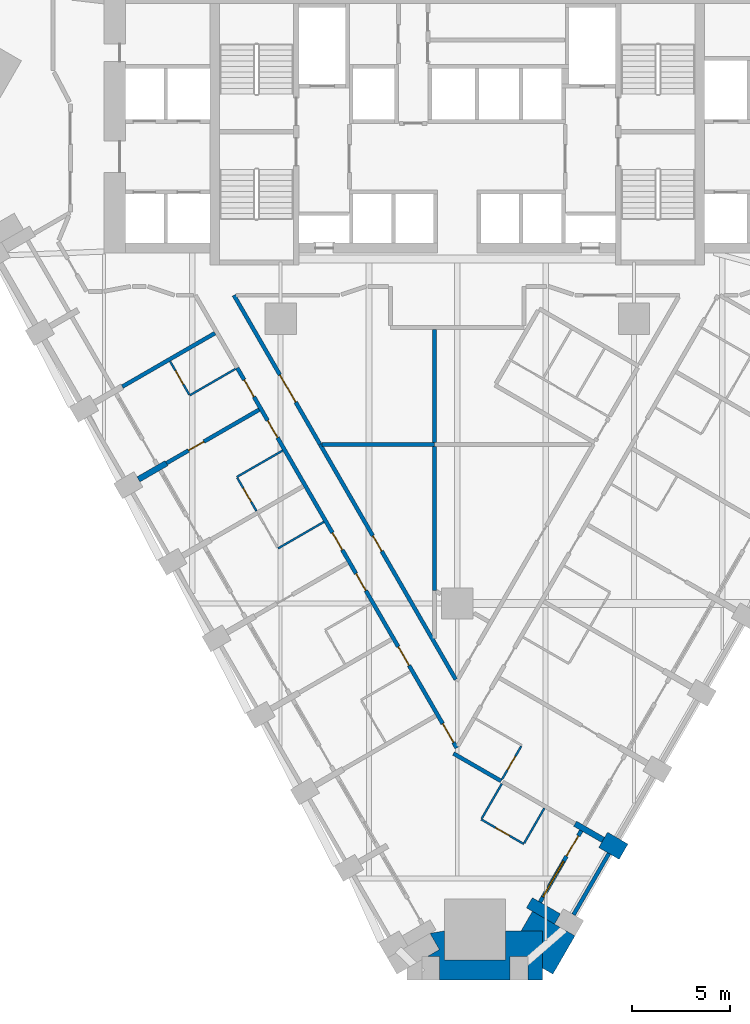
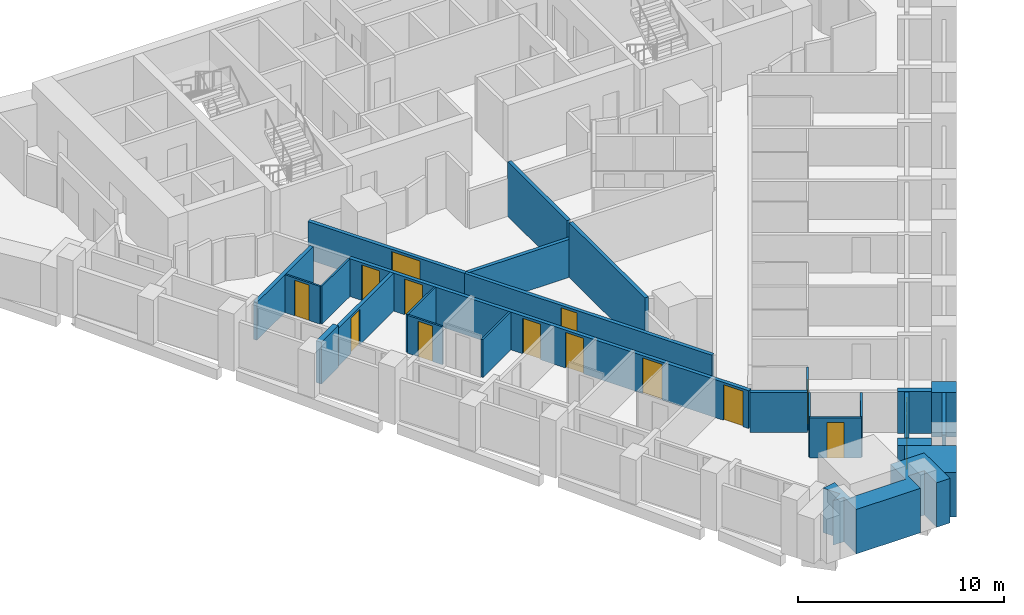
# One storey, part 4 of 12: 26 walls, 14 doors, 1 window, 15 openings.
"""IFC4 building model written with IfcOpenShell, lengths in metres."""

from ifc_helpers import new_model, si_unit, direction, frame, frame_2d, origin, place, context, subcontext, project, spatial, polyline, rectangle, outline, extrude, material, layer, layer_set, type_object, element, fill, save


model = new_model("IFC4")

# Units and contexts
model_context = context("Model", 3, precision=1e-05, world=origin(), true_north=direction((0.0, 1.0)))
body_context = subcontext(model_context, "Body", "Model", "MODEL_VIEW")
ifc_project = project(units=[si_unit("LENGTHUNIT", "METRE"), si_unit("AREAUNIT", "SQUARE_METRE"), si_unit("VOLUMEUNIT", "CUBIC_METRE"), si_unit("PLANEANGLEUNIT", "RADIAN"), si_unit("MASSUNIT", "GRAM", prefix="KILO")], contexts=[model_context])

# Site, building, storey
site_placement = place(None, origin())
site = spatial("IfcSite", under=ifc_project, at=site_placement, CompositionType="ELEMENT")
building_placement = place(site_placement, origin())
building = spatial("IfcBuilding", under=site, at=building_placement, Name="Calabash Gate Tower", CompositionType="ELEMENT")
storey_placement = place(building_placement, frame((0.0, 0.0, 83.39990234375)))
storey = spatial("IfcBuildingStorey", under=building, at=storey_placement, Name="L17", CompositionType="ELEMENT", Elevation=83.39990234375)

# Walls
ifc_material_1 = material(Name="Terracotta brick masonry, exposed face", Category="masonry")
ifc_layer_1 = layer(ifc_material_1, 2.5)
ifc_layer_set_1 = layer_set([ifc_layer_1], Name="Brick corner mass wall 2500")
wall_type_1 = type_object("IfcWallType", Name="Brick corner mass wall 2500", PredefinedType="SOLIDWALL", material=ifc_layer_set_1)
wall_1_placement = place(storey_placement, origin())
element("IfcWall", 1, at=wall_1_placement, inside=storey, type_object=wall_type_1, Name="Brick corner pier S04 2bb", PredefinedType="SOLIDWALL", context=body_context, shape_type="SweptSolid", body=[
    extrude(outline(polyline([(-0.653076171875, -30.14599609375), (-0.653076171875, -28.673828125), (-1.388671875, -28.799560546875), (-0.912841796875, -29.6240234375), (-1.51904296875, -29.97412109375), (-0.903076171875, -29.97412109375), (-0.903076171875, -31.173828125), (2.697021484375, -31.173828125), (2.697021484375, -29.97412109375), (3.596923828125, -29.97412109375), (3.596923828125, -31.173828125), (4.34814453125, -31.173828125), (4.34814453125, -28.673828125), (2.447021484375, -28.673828125), (2.447021484375, -30.14599609375), (-0.653076171875, -30.14599609375)])), origin(), (0.0, 0.0, 1.0), 2.630126953125),
])
wall_2_placement = place(storey_placement, origin())
element("IfcWall", 2, at=wall_2_placement, inside=storey, type_object=wall_type_1, Name="Brick corner pier S04 2c", PredefinedType="SOLIDWALL", context=body_context, shape_type="SweptSolid", body=[
    extrude(outline(polyline([(5.99169921875, -28.9267578125), (3.8271484375, -27.676513671875), (3.251220703125, -28.673828125), (4.34814453125, -28.673828125), (4.34814453125, -30.573974609375), (4.86767578125, -30.8740234375), (5.99169921875, -28.9267578125)])), origin(), (0.0, 0.0, 1.0), 2.630126953125),
])
ifc_material_2 = material(Name="Terracotta brick masonry, exposed face", Category="masonry")
ifc_layer_2 = layer(ifc_material_2, 1.199951171875)
ifc_layer_set_2 = layer_set([ifc_layer_2], Name="Brick end wall 1200")
wall_type_2 = type_object("IfcWallType", Name="Brick end wall 1200", PredefinedType="SOLIDWALL", material=ifc_layer_set_2)
wall_3_placement = place(storey_placement, frame((8.467041015625, -24.6396484375, 0.0), z_axis=(0.0, 0.0, 1.0), x_axis=(-0.865955154139, 0.50012165622, 0.0)))
element("IfcWall", 3, at=wall_3_placement, inside=storey, type_object=wall_type_2, Name="Brick pier S04 SE2.1", PredefinedType="SOLIDWALL", context=body_context, shape_type="SweptSolid", body=[
    extrude(rectangle(XDim=1.199951171875, YDim=0.89990234375, at=frame_2d((0.60009765625, 0.0))), origin(), (0.0, 0.0, 1.0), 2.630126953125),
])
ifc_material_3 = material(Name="Terracotta brick masonry, exposed face", Category="masonry")
ifc_layer_3 = layer(ifc_material_3, 0.300048828125)
ifc_layer_set_3 = layer_set([ifc_layer_3], Name="Brick loggia cheek wall 300")
wall_type_3 = type_object("IfcWallType", Name="Brick loggia cheek wall 300", PredefinedType="SOLIDWALL", material=ifc_layer_set_3)
wall_4_placement = place(storey_placement, frame((-16.239501953125, -5.67724609375, 0.0), z_axis=(0.0, 0.0, 1.0), x_axis=(0.866040211805, 0.499974350878, 0.0)))
element("IfcWall", 4, at=wall_4_placement, inside=storey, type_object=wall_type_3, Name="Loggia cheek S04 SW0.3", PredefinedType="SOLIDWALL", context=body_context, shape_type="SweptSolid", body=[
    extrude(rectangle(XDim=1.64990234375, YDim=0.300048828125, at=frame_2d((0.824951171875, 0.0))), origin(), (0.0, 0.0, 1.0), 2.4736328125),
])
wall_5_placement = place(storey_placement, frame((5.1025390625, -28.066650390625, 0.0), z_axis=(0.0, 0.0, 1.0), x_axis=(-0.866003217194, 0.500038426333, 0.0)))
element("IfcWall", 5, at=wall_5_placement, inside=storey, type_object=wall_type_3, Name="Loggia cheek S04 SE2.0", PredefinedType="SOLIDWALL", context=body_context, shape_type="SweptSolid", body=[
    extrude(rectangle(XDim=1.649658203125, YDim=0.60009765625, at=frame_2d((0.82470703125, 0.0))), origin(), (0.0, 0.0, 1.0), 2.650146484375),
])
wall_6_placement = place(storey_placement, frame((7.427978515625, -24.03955078125, 0.0), z_axis=(0.0, 0.0, 1.0), x_axis=(-0.866040211805, 0.499974350878, 0.0)))
element("IfcWall", 6, at=wall_6_placement, inside=storey, type_object=wall_type_3, Name="Loggia cheek S04 SE2.1", PredefinedType="SOLIDWALL", context=body_context, shape_type="SweptSolid", body=[
    extrude(rectangle(XDim=1.64990234375, YDim=0.300048828125, at=frame_2d((0.824951171875, 0.0))), origin(), (0.0, 0.0, 1.0), 2.4736328125),
])
ifc_material_4 = material(Name="Gypsum board on steel studs, mineral wool", Category="steel")
ifc_layer_4 = layer(ifc_material_4, 0.10009765625)
ifc_layer_set_4 = layer_set([ifc_layer_4], Name="Partition 100 gypsum board")
wall_type_4 = type_object("IfcWallType", Name="Partition 100 gypsum board", PredefinedType="PARTITIONING", material=ifc_layer_set_4)
wall_7_placement = place(storey_placement, frame((3.408203125, -24.2021484375, 0.0), z_axis=(0.0, 0.0, 1.0), x_axis=(0.499303169309, 0.866427345551, 0.0)))
element("IfcWall", 7, at=wall_7_placement, inside=storey, type_object=wall_type_4, Name="Partition", PredefinedType="PARTITIONING", context=body_context, shape_type="SweptSolid", body=[
    extrude(rectangle(XDim=2.05029296875, YDim=0.10009765625, at=frame_2d((1.025146484375, 0.0))), origin(), (0.0, 0.0, 1.0), 2.38427734375),
])

# Wall, opening, door
wall_8_placement = place(storey_placement, frame((1.218017578125, -22.995361328125, 0.0), z_axis=(0.0, 0.0, 1.0), x_axis=(0.866047370643, -0.499961950354, 0.0)))
wall_8 = element("IfcWall", 8, at=wall_8_placement, inside=storey, type_object=wall_type_4, Name="Partition", PredefinedType="PARTITIONING", context=body_context, shape_type="SweptSolid", body=[
    extrude(rectangle(XDim=2.500244140625, YDim=0.10009765625, at=frame_2d((1.25, 0.0))), origin(), (0.0, 0.0, 1.0), 2.38427734375),
])
opening_1_placement = place(wall_8_placement, frame((0.85009765625, 0.0, 0.0)))
opening_1 = element("IfcOpeningElement", 9, at=opening_1_placement, cuts=wall_8, Name="Opening 15-17-031", PredefinedType="OPENING", context=body_context, shape_type="SweptSolid", body=[
    extrude(rectangle(XDim=0.800048828125, YDim=2.10009765625, at=frame_2d((0.39990234375, 1.050048828125))), frame((0.0, 0.06005859375, 0.0), z_axis=(0.0, -1.0, 0.0), x_axis=(1.0, 0.0, 0.0)), (0.0, 0.0, 1.0), 0.1201171875),
])
ifc_material_5 = material(Name="Painted timber door", Category="wood")
door_type_1 = type_object("IfcDoorType", Name="GD5 En-suite door 800x2100", OperationType="NOTDEFINED", PredefinedType="DOOR", material=ifc_material_5)
door_1_placement = place(opening_1_placement, origin())
door_1 = element("IfcDoor", 10, at=door_1_placement, inside=storey, type_object=door_type_1, Name="En-suite door", OperationType="SINGLE_SWING_RIGHT", OverallHeight=2.10009765625, OverallWidth=0.800048828125, PredefinedType="DOOR", context=body_context, shape_type="SweptSolid", body=[
    extrude(rectangle(XDim=0.800048828125, YDim=2.10009765625, at=frame_2d((0.39990234375, 1.050048828125))), frame((0.0, 0.02490234375, 0.0), z_axis=(0.0, -1.0, 0.0), x_axis=(1.0, 0.0, 0.0)), (0.0, 0.0, 1.0), 0.050048828125),
])
fill(opening_1, door_1)

# Wall
wall_9_placement = place(storey_placement, frame((1.2431640625, -22.9521484375, 0.0), z_axis=(0.0, 0.0, 1.0), x_axis=(0.500646589026, 0.865651773461, 0.0)))
element("IfcWall", 11, at=wall_9_placement, inside=storey, type_object=wall_type_4, Name="Partition", PredefinedType="PARTITIONING", context=body_context, shape_type="SweptSolid", body=[
    extrude(rectangle(XDim=2.050048828125, YDim=0.10009765625, at=frame_2d((1.02490234375, 0.0))), origin(), (0.0, 0.0, 1.0), 2.38427734375),
])

# Wall, opening, door
wall_10_placement = place(storey_placement, frame((2.2802734375, -20.952392578125, 0.0), z_axis=(0.0, 0.0, 1.0), x_axis=(0.500675951608, 0.865634791053, 0.0)))
wall_10 = element("IfcWall", 12, at=wall_10_placement, inside=storey, type_object=wall_type_4, Name="Partition", PredefinedType="PARTITIONING", context=body_context, shape_type="SweptSolid", body=[
    extrude(rectangle(XDim=1.949951171875, YDim=0.10009765625, at=frame_2d((0.97509765625, 0.0))), origin(), (0.0, 0.0, 1.0), 2.38427734375),
])
opening_2_placement = place(wall_10_placement, frame((0.550048828125, 0.0, 0.0)))
opening_2 = element("IfcOpeningElement", 13, at=opening_2_placement, cuts=wall_10, Name="Opening 15-17-014", PredefinedType="OPENING", context=body_context, shape_type="SweptSolid", body=[
    extrude(rectangle(XDim=0.800048828125, YDim=2.10009765625, at=frame_2d((0.39990234375, 1.050048828125))), frame((0.0, 0.06005859375, 0.0), z_axis=(0.0, -1.0, 0.0), x_axis=(1.0, 0.0, 0.0)), (0.0, 0.0, 1.0), 0.1201171875),
])
door_2_placement = place(opening_2_placement, origin())
door_2 = element("IfcDoor", 14, at=door_2_placement, inside=storey, type_object=door_type_1, Name="En-suite door", OperationType="SINGLE_SWING_LEFT", OverallHeight=2.10009765625, OverallWidth=0.800048828125, PredefinedType="DOOR", context=body_context, shape_type="SweptSolid", body=[
    extrude(rectangle(XDim=0.800048828125, YDim=2.10009765625, at=frame_2d((0.39990234375, 1.050048828125))), frame((0.0, 0.02490234375, 0.0), z_axis=(0.0, -1.0, 0.0), x_axis=(1.0, 0.0, 0.0)), (0.0, 0.0, 1.0), 0.050048828125),
])
fill(opening_2, door_2)

# Wall
wall_11_placement = place(storey_placement, frame((-9.12890625, -9.193115234375, 0.0), z_axis=(0.0, 0.0, 1.0), x_axis=(0.865671764241, 0.500612022024, 0.0)))
element("IfcWall", 15, at=wall_11_placement, inside=storey, type_object=wall_type_4, Name="Partition", PredefinedType="PARTITIONING", context=body_context, shape_type="SweptSolid", body=[
    extrude(rectangle(XDim=2.69970703125, YDim=0.10009765625, at=frame_2d((1.349853515625, 0.0))), origin(), (0.0, 0.0, 1.0), 2.24169921875),
])

# Wall, opening, door
wall_12_placement = place(storey_placement, frame((-11.2041015625, -5.59912109375, 0.0), z_axis=(0.0, 0.0, 1.0), x_axis=(0.500098182527, -0.865968710655, 0.0)))
wall_12 = element("IfcWall", 16, at=wall_12_placement, inside=storey, type_object=wall_type_4, Name="Partition", PredefinedType="PARTITIONING", context=body_context, shape_type="SweptSolid", body=[
    extrude(rectangle(XDim=1.94970703125, YDim=0.10009765625, at=frame_2d((0.974853515625, 0.0))), origin(), (0.0, 0.0, 1.0), 2.24169921875),
])
opening_3_placement = place(wall_12_placement, frame((0.60009765625, 0.0, 0.0)))
opening_3 = element("IfcOpeningElement", 17, at=opening_3_placement, cuts=wall_12, Name="Opening 15-17-004", PredefinedType="OPENING", context=body_context, shape_type="SweptSolid", body=[
    extrude(rectangle(XDim=0.800048828125, YDim=2.10009765625, at=frame_2d((0.39990234375, 1.050048828125))), frame((0.0, 0.06005859375, 0.0), z_axis=(0.0, -1.0, 0.0), x_axis=(1.0, 0.0, 0.0)), (0.0, 0.0, 1.0), 0.1201171875),
])
door_3_placement = place(opening_3_placement, origin())
door_3 = element("IfcDoor", 18, at=door_3_placement, inside=storey, type_object=door_type_1, Name="En-suite door", OperationType="SINGLE_SWING_RIGHT", OverallHeight=2.10009765625, OverallWidth=0.800048828125, PredefinedType="DOOR", context=body_context, shape_type="SweptSolid", body=[
    extrude(rectangle(XDim=0.800048828125, YDim=2.10009765625, at=frame_2d((0.39990234375, 1.050048828125))), frame((0.0, 0.02490234375, 0.0), z_axis=(0.0, -1.0, 0.0), x_axis=(1.0, 0.0, 0.0)), (0.0, 0.0, 1.0), 0.050048828125),
])
fill(opening_3, door_3)

# Walls
for number, where, z_axis, x_axis, name in (
    (19, (-11.22900390625, -5.5556640625, 0.0), (0.0, 0.0, 1.0), (0.866339109022, 0.499456252518, 0.0), "Partition"),
    (20, (-13.62890625, -1.398681640625, 0.0), (0.0, 0.0, 1.0), (0.86571095196, 0.500544251447, 0.0), "Partition"),
):
    element("IfcWall", number, at=place(storey_placement, frame(where, z_axis=z_axis, x_axis=x_axis)), inside=storey, type_object=wall_type_4, Name=name, PredefinedType="PARTITIONING", context=body_context, shape_type="SweptSolid", body=[
        extrude(rectangle(XDim=2.69970703125, YDim=0.10009765625, at=frame_2d((1.349853515625, 0.0))), origin(), (0.0, 0.0, 1.0), 2.24169921875),
    ])

# Wall, opening, door
wall_13_placement = place(storey_placement, frame((-14.627685546875, 0.333984375, 0.0), z_axis=(0.0, 0.0, 1.0), x_axis=(0.499317740681, -0.866418948224, 0.0)))
wall_13 = element("IfcWall", 21, at=wall_13_placement, inside=storey, type_object=wall_type_4, Name="Partition", PredefinedType="PARTITIONING", context=body_context, shape_type="SweptSolid", body=[
    extrude(rectangle(XDim=1.949951171875, YDim=0.10009765625, at=frame_2d((0.97509765625, 0.0))), origin(), (0.0, 0.0, 1.0), 2.24169921875),
])
opening_4_placement = place(wall_13_placement, frame((0.550048828125, 0.0, 0.0)))
opening_4 = element("IfcOpeningElement", 22, at=opening_4_placement, cuts=wall_13, Name="Opening 15-17-002", PredefinedType="OPENING", context=body_context, shape_type="SweptSolid", body=[
    extrude(rectangle(XDim=0.800048828125, YDim=2.10009765625, at=frame_2d((0.39990234375, 1.050048828125))), frame((0.0, 0.06005859375, 0.0), z_axis=(0.0, -1.0, 0.0), x_axis=(1.0, 0.0, 0.0)), (0.0, 0.0, 1.0), 0.1201171875),
])
door_4_placement = place(opening_4_placement, origin())
door_4 = element("IfcDoor", 23, at=door_4_placement, inside=storey, type_object=door_type_1, Name="En-suite door", OperationType="SINGLE_SWING_LEFT", OverallHeight=2.10009765625, OverallWidth=0.800048828125, PredefinedType="DOOR", context=body_context, shape_type="SweptSolid", body=[
    extrude(rectangle(XDim=0.800048828125, YDim=2.10009765625, at=frame_2d((0.39990234375, 1.050048828125))), frame((0.0, 0.02490234375, 0.0), z_axis=(0.0, -1.0, 0.0), x_axis=(1.0, 0.0, 0.0)), (0.0, 0.0, 1.0), 0.050048828125),
])
fill(opening_4, door_4)

# Wall
ifc_material_6 = material(Name="Gypsum board on steel studs, mineral wool", Category="steel")
ifc_layer_5 = layer(ifc_material_6, 0.199951171875)
ifc_layer_set_5 = layer_set([ifc_layer_5], Name="Partition 200 gypsum board EI 60")
wall_type_5 = type_object("IfcWallType", Name="Partition 200 gypsum board EI 60", PredefinedType="PARTITIONING", material=ifc_layer_set_5)
wall_14_placement = place(storey_placement, frame((-0.193359375, -19.64013671875, 0.0), z_axis=(0.0, 0.0, 1.0), x_axis=(0.866036131362, -0.49998141883, 0.0)))
element("IfcWall", 24, at=wall_14_placement, inside=storey, type_object=wall_type_5, Name="Partition", PredefinedType="PARTITIONING", context=body_context, shape_type="SweptSolid", body=[
    extrude(rectangle(XDim=2.8017578125, YDim=0.199951171875, at=frame_2d((1.40087890625, 0.0))), origin(), (0.0, 0.0, 1.0), 2.38427734375),
])

# Wall, openings, doors
wall_15_placement = place(storey_placement, frame((-11.205810546875, 0.0, 0.0), z_axis=(0.0, 0.0, 1.0), x_axis=(0.500002959525, -0.866023695095, 0.0)))
wall_15 = element("IfcWall", 25, at=wall_15_placement, inside=storey, type_object=wall_type_5, Name="Partition", PredefinedType="PARTITIONING", context=body_context, shape_type="SweptSolid", body=[
    extrude(rectangle(XDim=22.350830078125, YDim=0.199951171875, at=frame_2d((11.17529296875, 0.0))), origin(), (0.0, 0.0, 1.0), 2.24169921875),
])
opening_5_placement = place(wall_15_placement, frame((0.69970703125, 0.0, 0.0)))
opening_5 = element("IfcOpeningElement", 26, at=opening_5_placement, cuts=wall_15, Name="Opening 15-17-001", PredefinedType="OPENING", context=body_context, shape_type="SweptSolid", body=[
    extrude(rectangle(XDim=1.0, YDim=2.10009765625, at=frame_2d((0.5, 1.050048828125))), frame((0.0, 0.10986328125, 0.0), z_axis=(0.0, -1.0, 0.0), x_axis=(1.0, 0.0, 0.0)), (0.0, 0.0, 1.0), 0.219970703125),
])
opening_6_placement = place(wall_15_placement, frame((3.099609375, 0.0, 0.0)))
opening_6 = element("IfcOpeningElement", 27, at=opening_6_placement, cuts=wall_15, Name="Opening 15-17-003", PredefinedType="OPENING", context=body_context, shape_type="SweptSolid", body=[
    extrude(rectangle(XDim=1.0, YDim=2.10009765625, at=frame_2d((0.5, 1.050048828125))), frame((0.0, 0.10986328125, 0.0), z_axis=(0.0, -1.0, 0.0), x_axis=(1.0, 0.0, 0.0)), (0.0, 0.0, 1.0), 0.219970703125),
])
opening_7_placement = place(wall_15_placement, frame((9.69970703125, 0.0, 0.0)))
opening_7 = element("IfcOpeningElement", 28, at=opening_7_placement, cuts=wall_15, Name="Opening 15-17-006", PredefinedType="OPENING", context=body_context, shape_type="SweptSolid", body=[
    extrude(rectangle(XDim=1.0, YDim=2.10009765625, at=frame_2d((0.5, 1.050048828125))), frame((0.0, 0.10986328125, 0.0), z_axis=(0.0, -1.0, 0.0), x_axis=(1.0, 0.0, 0.0)), (0.0, 0.0, 1.0), 0.219970703125),
])
opening_8_placement = place(wall_15_placement, frame((12.099609375, 0.0, 0.0)))
opening_8 = element("IfcOpeningElement", 29, at=opening_8_placement, cuts=wall_15, Name="Opening 15-17-008", PredefinedType="OPENING", context=body_context, shape_type="SweptSolid", body=[
    extrude(rectangle(XDim=1.0, YDim=2.10009765625, at=frame_2d((0.5, 1.050048828125))), frame((0.0, 0.10986328125, 0.0), z_axis=(0.0, -1.0, 0.0), x_axis=(1.0, 0.0, 0.0)), (0.0, 0.0, 1.0), 0.219970703125),
])
opening_9_placement = place(wall_15_placement, frame((16.399658203125, 0.0, 0.0)))
opening_9 = element("IfcOpeningElement", 30, at=opening_9_placement, cuts=wall_15, Name="Opening 15-17-011", PredefinedType="OPENING", context=body_context, shape_type="SweptSolid", body=[
    extrude(rectangle(XDim=1.10009765625, YDim=2.10009765625, at=frame_2d((0.550048828125, 1.050048828125))), frame((0.0, 0.10986328125, 0.0), z_axis=(0.0, -1.0, 0.0), x_axis=(1.0, 0.0, 0.0)), (0.0, 0.0, 1.0), 0.219970703125),
])
opening_10_placement = place(wall_15_placement, frame((20.92529296875, 0.0, 0.0)))
opening_10 = element("IfcOpeningElement", 31, at=opening_10_placement, cuts=wall_15, Name="Opening 15-17-041", PredefinedType="OPENING", context=body_context, shape_type="SweptSolid", body=[
    extrude(rectangle(XDim=1.10009765625, YDim=2.10009765625, at=frame_2d((0.550048828125, 1.050048828125))), frame((0.0, 0.10986328125, 0.0), z_axis=(0.0, -1.0, 0.0), x_axis=(1.0, 0.0, 0.0)), (0.0, 0.0, 1.0), 0.219970703125),
])
ifc_material_7 = material(Name="Steel fire door set with fire-resisting glazing", Category="steel")
door_type_2 = type_object("IfcDoorType", Name="GD1 Guest room entrance door 1000x2100", OperationType="NOTDEFINED", PredefinedType="DOOR", material=ifc_material_7)
door_5_placement = place(opening_5_placement, origin())
door_5 = element("IfcDoor", 32, at=door_5_placement, inside=storey, type_object=door_type_2, Name="Guest room entrance door", OperationType="SINGLE_SWING_LEFT", OverallHeight=2.10009765625, OverallWidth=1.0, PredefinedType="DOOR", context=body_context, shape_type="SweptSolid", body=[
    extrude(rectangle(XDim=1.0, YDim=2.10009765625, at=frame_2d((0.5, 1.050048828125))), frame((0.0, 0.02490234375, 0.0), z_axis=(0.0, -1.0, 0.0), x_axis=(1.0, 0.0, 0.0)), (0.0, 0.0, 1.0), 0.050048828125),
])
fill(opening_5, door_5)
door_6_placement = place(opening_6_placement, origin())
door_6 = element("IfcDoor", 33, at=door_6_placement, inside=storey, type_object=door_type_2, Name="Guest room entrance door", OperationType="SINGLE_SWING_RIGHT", OverallHeight=2.10009765625, OverallWidth=1.0, PredefinedType="DOOR", context=body_context, shape_type="SweptSolid", body=[
    extrude(rectangle(XDim=1.0, YDim=2.10009765625, at=frame_2d((0.5, 1.050048828125))), frame((0.0, 0.02490234375, 0.0), z_axis=(0.0, -1.0, 0.0), x_axis=(1.0, 0.0, 0.0)), (0.0, 0.0, 1.0), 0.050048828125),
])
fill(opening_6, door_6)
door_7_placement = place(opening_7_placement, origin())
door_7 = element("IfcDoor", 34, at=door_7_placement, inside=storey, type_object=door_type_2, Name="Guest room entrance door", OperationType="SINGLE_SWING_LEFT", OverallHeight=2.10009765625, OverallWidth=1.0, PredefinedType="DOOR", context=body_context, shape_type="SweptSolid", body=[
    extrude(rectangle(XDim=1.0, YDim=2.10009765625, at=frame_2d((0.5, 1.050048828125))), frame((0.0, 0.02490234375, 0.0), z_axis=(0.0, -1.0, 0.0), x_axis=(1.0, 0.0, 0.0)), (0.0, 0.0, 1.0), 0.050048828125),
])
fill(opening_7, door_7)
door_8_placement = place(opening_8_placement, origin())
door_8 = element("IfcDoor", 35, at=door_8_placement, inside=storey, type_object=door_type_2, Name="Guest room entrance door", OperationType="SINGLE_SWING_RIGHT", OverallHeight=2.10009765625, OverallWidth=1.0, PredefinedType="DOOR", context=body_context, shape_type="SweptSolid", body=[
    extrude(rectangle(XDim=1.0, YDim=2.10009765625, at=frame_2d((0.5, 1.050048828125))), frame((0.0, 0.02490234375, 0.0), z_axis=(0.0, -1.0, 0.0), x_axis=(1.0, 0.0, 0.0)), (0.0, 0.0, 1.0), 0.050048828125),
])
fill(opening_8, door_8)
ifc_material_8 = material(Name="Steel fire door set with fire-resisting glazing", Category="steel")
door_type_3 = type_object("IfcDoorType", Name="GD2 Accessible guest room entrance door 1100x2100", OperationType="NOTDEFINED", PredefinedType="DOOR", material=ifc_material_8)
door_9_placement = place(opening_9_placement, origin())
door_9 = element("IfcDoor", 36, at=door_9_placement, inside=storey, type_object=door_type_3, Name="Accessible guest room entrance door", OperationType="SINGLE_SWING_RIGHT", OverallHeight=2.10009765625, OverallWidth=1.10009765625, PredefinedType="DOOR", context=body_context, shape_type="SweptSolid", body=[
    extrude(rectangle(XDim=1.10009765625, YDim=2.10009765625, at=frame_2d((0.550048828125, 1.050048828125))), frame((0.0, 0.02490234375, 0.0), z_axis=(0.0, -1.0, 0.0), x_axis=(1.0, 0.0, 0.0)), (0.0, 0.0, 1.0), 0.050048828125),
])
fill(opening_9, door_9)
ifc_material_9 = material(Name="Steel fire door set with fire-resisting glazing", Category="steel")
door_type_4 = type_object("IfcDoorType", Name="GD3 Suite entrance door 1100x2100", OperationType="NOTDEFINED", PredefinedType="DOOR", material=ifc_material_9)
door_10_placement = place(opening_10_placement, origin())
door_10 = element("IfcDoor", 37, at=door_10_placement, inside=storey, type_object=door_type_4, Name="Suite entrance door", OperationType="SINGLE_SWING_LEFT", OverallHeight=2.10009765625, OverallWidth=1.10009765625, PredefinedType="DOOR", context=body_context, shape_type="SweptSolid", body=[
    extrude(rectangle(XDim=1.10009765625, YDim=2.10009765625, at=frame_2d((0.550048828125, 1.050048828125))), frame((0.0, 0.02490234375, 0.0), z_axis=(0.0, -1.0, 0.0), x_axis=(1.0, 0.0, 0.0)), (0.0, 0.0, 1.0), 0.050048828125),
])
fill(opening_10, door_10)

# Wall
wall_16_placement = place(storey_placement, frame((-1.16162109375, -11.327392578125, 0.0), z_axis=(0.0, 0.0, 1.0), x_axis=(0.0, 1.0, 0.0)))
element("IfcWall", 38, at=wall_16_placement, inside=storey, type_object=wall_type_5, Name="Partition", PredefinedType="PARTITIONING", context=body_context, shape_type="SweptSolid", body=[
    extrude(rectangle(XDim=7.3349609375, YDim=0.199951171875, at=frame_2d((3.66748046875, 0.0))), origin(), (0.0, 0.0, 1.0), 3.22998046875),
])

# Wall, opening, door
wall_17_placement = place(storey_placement, frame((-6.99072265625, -3.892578125, 0.0), z_axis=(0.0, 0.0, 1.0), x_axis=(0.499865112403, -0.86610326717, 0.0)))
wall_17 = element("IfcWall", 39, at=wall_17_placement, inside=storey, type_object=wall_type_5, Name="Partition", PredefinedType="PARTITIONING", context=body_context, shape_type="SweptSolid", body=[
    extrude(rectangle(XDim=13.826904296875, YDim=0.199951171875, at=frame_2d((6.91357421875, 0.0))), origin(), (0.0, 0.0, 1.0), 2.24169921875),
])
opening_11_placement = place(wall_17_placement, frame((5.377197265625, 0.0, 0.0)))
opening_11 = element("IfcOpeningElement", 40, at=opening_11_placement, cuts=wall_17, Name="Opening 15-17-028", PredefinedType="OPENING", context=body_context, shape_type="SweptSolid", body=[
    extrude(rectangle(XDim=0.89990234375, YDim=2.10009765625, at=frame_2d((0.449951171875, 1.050048828125))), frame((0.0, 0.10986328125, 0.0), z_axis=(0.0, -1.0, 0.0), x_axis=(1.0, 0.0, 0.0)), (0.0, 0.0, 1.0), 0.219970703125),
])
ifc_material_10 = material(Name="Steel fire door set with fire-resisting glazing", Category="steel")
door_type_5 = type_object("IfcDoorType", Name="SD3 Store door 900x2100", OperationType="NOTDEFINED", PredefinedType="DOOR", material=ifc_material_10)
door_11_placement = place(opening_11_placement, origin())
door_11 = element("IfcDoor", 41, at=door_11_placement, inside=storey, type_object=door_type_5, Name="Store door", OperationType="SINGLE_SWING_LEFT", OverallHeight=2.10009765625, OverallWidth=0.89990234375, PredefinedType="DOOR", context=body_context, shape_type="SweptSolid", body=[
    extrude(rectangle(XDim=0.89990234375, YDim=2.10009765625, at=frame_2d((0.449951171875, 1.050048828125))), frame((0.0, 0.02490234375, 0.0), z_axis=(0.0, -1.0, 0.0), x_axis=(1.0, 0.0, 0.0)), (0.0, 0.0, 1.0), 0.050048828125),
])
fill(opening_11, door_11)

# Walls
wall_18_placement = place(storey_placement, frame((-6.890869140625, -3.892578125, 0.0), z_axis=(0.0, 0.0, 1.0), x_axis=(1.0, 0.0, 0.0)))
element("IfcWall", 42, at=wall_18_placement, inside=storey, type_object=wall_type_5, Name="Partition", PredefinedType="PARTITIONING", context=body_context, shape_type="SweptSolid", body=[
    extrude(rectangle(XDim=5.727294921875, YDim=0.199951171875, at=frame_2d((2.86376953125, 0.0))), origin(), (0.0, 0.0, 1.0), 2.24169921875),
])
wall_19_placement = place(storey_placement, frame((-1.16162109375, -3.79052734375, 0.0), z_axis=(0.0, 0.0, 1.0), x_axis=(0.0, 1.0, 0.0)))
element("IfcWall", 43, at=wall_19_placement, inside=storey, type_object=wall_type_5, Name="Partition", PredefinedType="PARTITIONING", context=body_context, shape_type="SweptSolid", body=[
    extrude(rectangle(XDim=5.742919921875, YDim=0.199951171875, at=frame_2d((2.87158203125, 0.0))), origin(), (0.0, 0.0, 1.0), 3.22998046875),
])

# Wall, opening, door
wall_20_placement = place(storey_placement, frame((-14.810546875, -4.852294921875, 0.0), z_axis=(0.0, 0.0, 1.0), x_axis=(0.866193043817, 0.499709526468, 0.0)))
wall_20 = element("IfcWall", 44, at=wall_20_placement, inside=storey, type_object=wall_type_5, Name="Partition", PredefinedType="PARTITIONING", context=body_context, shape_type="SweptSolid", body=[
    extrude(rectangle(XDim=5.449951171875, YDim=0.199951171875, at=frame_2d((2.72509765625, 0.0))), origin(), (0.0, 0.0, 1.0), 2.24169921875),
])
opening_12_placement = place(wall_20_placement, frame((1.300048828125, 0.0, 0.0)))
opening_12 = element("IfcOpeningElement", 45, at=opening_12_placement, cuts=wall_20, Name="Opening 15-17-005", PredefinedType="OPENING", context=body_context, shape_type="SweptSolid", body=[
    extrude(rectangle(XDim=0.89990234375, YDim=2.10009765625, at=frame_2d((0.449951171875, 1.050048828125))), frame((0.0, 0.10986328125, 0.0), z_axis=(0.0, -1.0, 0.0), x_axis=(1.0, 0.0, 0.0)), (0.0, 0.0, 1.0), 0.219970703125),
])
ifc_material_11 = material(Name="Steel fire door set with fire-resisting glazing", Category="steel")
door_type_6 = type_object("IfcDoorType", Name="GD4 Connecting door 900x2100", OperationType="NOTDEFINED", PredefinedType="DOOR", material=ifc_material_11)
door_12_placement = place(opening_12_placement, origin())
door_12 = element("IfcDoor", 46, at=door_12_placement, inside=storey, type_object=door_type_6, Name="Connecting door", OperationType="SINGLE_SWING_RIGHT", OverallHeight=2.10009765625, OverallWidth=0.89990234375, PredefinedType="DOOR", context=body_context, shape_type="SweptSolid", body=[
    extrude(rectangle(XDim=0.89990234375, YDim=2.10009765625, at=frame_2d((0.449951171875, 1.050048828125))), frame((0.0, 0.02490234375, 0.0), z_axis=(0.0, -1.0, 0.0), x_axis=(1.0, 0.0, 0.0)), (0.0, 0.0, 1.0), 0.050048828125),
])
fill(opening_12, door_12)

# Wall
wall_21_placement = place(storey_placement, frame((-17.060791015625, -0.95458984375, 0.0), z_axis=(0.0, 0.0, 1.0), x_axis=(0.866031107881, 0.499990120084, 0.0)))
element("IfcWall", 47, at=wall_21_placement, inside=storey, type_object=wall_type_5, Name="Partition", PredefinedType="PARTITIONING", context=body_context, shape_type="SweptSolid", body=[
    extrude(rectangle(XDim=5.44775390625, YDim=0.199951171875, at=frame_2d((2.723876953125, 0.0))), origin(), (0.0, 0.0, 1.0), 2.24169921875),
])

# Wall, opening, door
wall_22_placement = place(storey_placement, frame((-11.376220703125, 3.69970703125, 0.0), z_axis=(0.0, 0.0, 1.0), x_axis=(0.500182929981, -0.865919763347, 0.0)))
wall_22 = element("IfcWall", 48, at=wall_22_placement, inside=storey, type_object=wall_type_5, Name="Partition", PredefinedType="PARTITIONING", context=body_context, shape_type="SweptSolid", body=[
    extrude(rectangle(XDim=8.765380859375, YDim=0.199951171875, at=frame_2d((4.3828125, 0.0))), origin(), (0.0, 0.0, 1.0), 2.24169921875),
])
opening_13_placement = place(wall_22_placement, frame((4.68310546875, 0.0, 0.0)))
opening_13 = element("IfcOpeningElement", 49, at=opening_13_placement, cuts=wall_22, Name="Opening 15-17-027", PredefinedType="OPENING", context=body_context, shape_type="SweptSolid", body=[
    extrude(rectangle(XDim=1.60009765625, YDim=2.10009765625, at=frame_2d((0.800048828125, 1.050048828125))), frame((0.0, 0.10986328125, 0.0), z_axis=(0.0, -1.0, 0.0), x_axis=(1.0, 0.0, 0.0)), (0.0, 0.0, 1.0), 0.219970703125),
])
ifc_material_12 = material(Name="Steel fire door set with fire-resisting glazing", Category="steel")
door_type_7 = type_object("IfcDoorType", Name="LD1 Lounge double door 1600x2100", OperationType="NOTDEFINED", PredefinedType="DOOR", material=ifc_material_12)
door_13_placement = place(opening_13_placement, origin())
door_13 = element("IfcDoor", 50, at=door_13_placement, inside=storey, type_object=door_type_7, Name="Lounge double door", OperationType="DOUBLE_DOOR_SINGLE_SWING", OverallHeight=2.10009765625, OverallWidth=1.60009765625, PredefinedType="DOOR", context=body_context, shape_type="SweptSolid", body=[
    extrude(rectangle(XDim=1.60009765625, YDim=2.10009765625, at=frame_2d((0.800048828125, 1.050048828125))), frame((0.0, 0.02490234375, 0.0), z_axis=(0.0, -1.0, 0.0), x_axis=(1.0, 0.0, 0.0)), (0.0, 0.0, 1.0), 0.050048828125),
])
fill(opening_13, door_13)

# Wall
ifc_material_13 = material(Name="Terracotta brick masonry, perforated", Category="masonry")
ifc_layer_6 = layer(ifc_material_13, 0.199951171875)
ifc_layer_set_6 = layer_set([ifc_layer_6], Name="Terracotta jaali screen B")
wall_type_6 = type_object("IfcWallType", Name="Terracotta jaali screen B", PredefinedType="SOLIDWALL", material=ifc_layer_set_6)
wall_23_placement = place(storey_placement, frame((5.92236328125, -27.84716796875, 0.0), z_axis=(0.0, 0.0, 1.0), x_axis=(0.500012057535, 0.866018442252, 0.0)))
element("IfcWall", 51, at=wall_23_placement, inside=storey, type_object=wall_type_6, Name="SCREEN B S04 SE2.1", PredefinedType="SOLIDWALL", context=body_context, shape_type="SweptSolid", body=[
    extrude(rectangle(XDim=3.60009765625, YDim=0.199951171875, at=frame_2d((1.800048828125, 0.0))), origin(), (0.0, 0.0, 1.0), 2.630126953125),
])

# Wall, openings, door, window
ifc_material_14 = material(Name="Aluminium framed window wall with insulated spandrel", Category="aluminium")
ifc_layer_7 = layer(ifc_material_14, 0.199951171875)
ifc_layer_set_7 = layer_set([ifc_layer_7], Name="Window wall 200")
wall_type_7 = type_object("IfcWallType", Name="Window wall 200", PredefinedType="ELEMENTEDWALL", material=ifc_layer_set_7)
wall_24_placement = place(storey_placement, frame((4.213623046875, -27.206787109375, 0.0), z_axis=(0.0, 0.0, 1.0), x_axis=(0.500027713859, 0.866009402589, 0.0)))
wall_24 = element("IfcWall", 52, at=wall_24_placement, inside=storey, type_object=wall_type_7, Name="Window wall S04 SE2.1", PredefinedType="ELEMENTEDWALL", context=body_context, shape_type="SweptSolid", body=[
    extrude(rectangle(XDim=4.199951171875, YDim=0.199951171875, at=frame_2d((2.10009765625, 0.0))), origin(), (0.0, 0.0, 1.0), 2.4501953125),
])
opening_14_placement = place(wall_24_placement, frame((0.300048828125, 0.0, 0.60009765625)))
opening_14 = element("IfcOpeningElement", 53, at=opening_14_placement, cuts=wall_24, Name="Opening HW1L-1750", PredefinedType="OPENING", context=body_context, shape_type="SweptSolid", body=[
    extrude(rectangle(XDim=2.10009765625, YDim=1.75, at=frame_2d((1.050048828125, 0.875))), frame((0.0, 0.10986328125, 0.0), z_axis=(0.0, -1.0, 0.0), x_axis=(1.0, 0.0, 0.0)), (0.0, 0.0, 1.0), 0.219970703125),
])
opening_15_placement = place(wall_24_placement, frame((2.699951171875, 0.0, 0.0)))
opening_15 = element("IfcOpeningElement", 54, at=opening_15_placement, cuts=wall_24, Name="Opening H4-018", PredefinedType="OPENING", context=body_context, shape_type="SweptSolid", body=[
    extrude(rectangle(XDim=1.199951171875, YDim=2.35009765625, at=frame_2d((0.60009765625, 1.175048828125))), frame((0.0, 0.10986328125, 0.0), z_axis=(0.0, -1.0, 0.0), x_axis=(1.0, 0.0, 0.0)), (0.0, 0.0, 1.0), 0.219970703125),
])
ifc_material_15 = material(Name="Anodised aluminium frame, bronze finish, impact-rated laminated clear glazing", Category="aluminium")
door_type_8 = type_object("IfcDoorType", Name="Loggia door DH1L-2350 1200x2350", OperationType="SLIDING_TO_LEFT", PredefinedType="DOOR", material=ifc_material_15)
door_14_placement = place(opening_15_placement, origin())
door_14 = element("IfcDoor", 55, at=door_14_placement, inside=storey, type_object=door_type_8, Name="Loggia door S04 SE2.1", OperationType="SINGLE_SWING_LEFT", OverallHeight=2.35009765625, OverallWidth=1.199951171875, PredefinedType="DOOR", context=body_context, shape_type="SweptSolid", body=[
    extrude(rectangle(XDim=1.199951171875, YDim=2.35009765625, at=frame_2d((0.60009765625, 1.175048828125))), frame((0.0, 0.02490234375, 0.0), z_axis=(0.0, -1.0, 0.0), x_axis=(1.0, 0.0, 0.0)), (0.0, 0.0, 1.0), 0.050048828125),
])
fill(opening_15, door_14)
ifc_material_16 = material(Name="Anodised aluminium frame, bronze finish, impact-rated laminated clear glazing", Category="aluminium")
window_type = type_object("IfcWindowType", Name="Window HW1L 2100x1750", PartitioningType="DOUBLE_PANEL_VERTICAL", PredefinedType="WINDOW", material=ifc_material_16)
window_placement = place(opening_14_placement, origin())
window = element("IfcWindow", 56, at=window_placement, inside=storey, type_object=window_type, Name="Window HW1 S04 SE2.1", OverallHeight=1.75, OverallWidth=2.10009765625, PartitioningType="SINGLE_PANEL", PredefinedType="WINDOW", context=body_context, shape_type="SweptSolid", body=[
    extrude(rectangle(XDim=2.10009765625, YDim=1.75, at=frame_2d((1.050048828125, 0.875))), frame((0.0, 0.030029296875, 0.0), z_axis=(0.0, -1.0, 0.0), x_axis=(1.0, 0.0, 0.0)), (0.0, 0.0, 1.0), 0.06005859375),
])
fill(opening_14, window)

save(model, "model.ifc")
